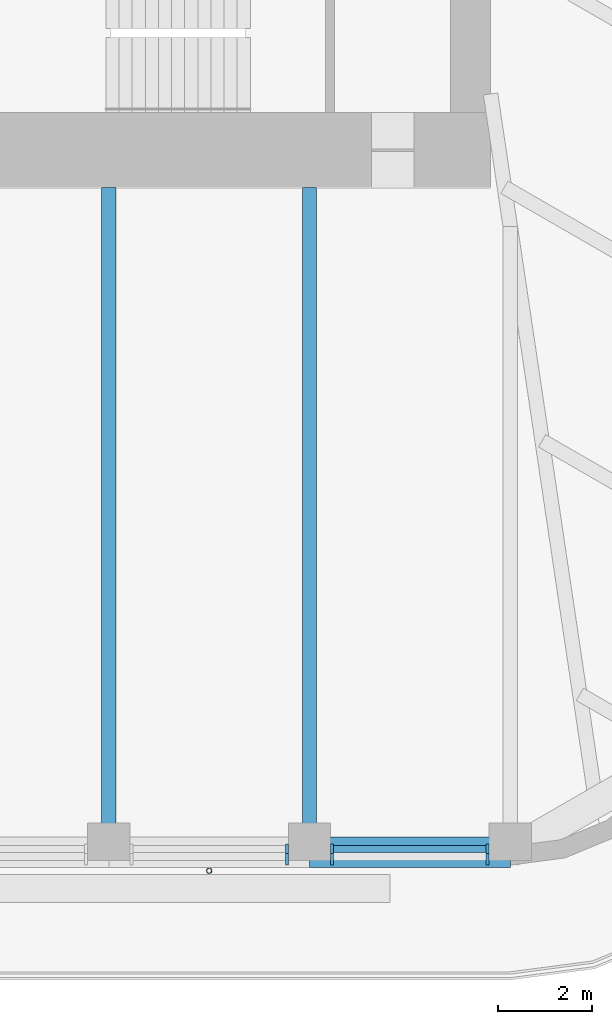
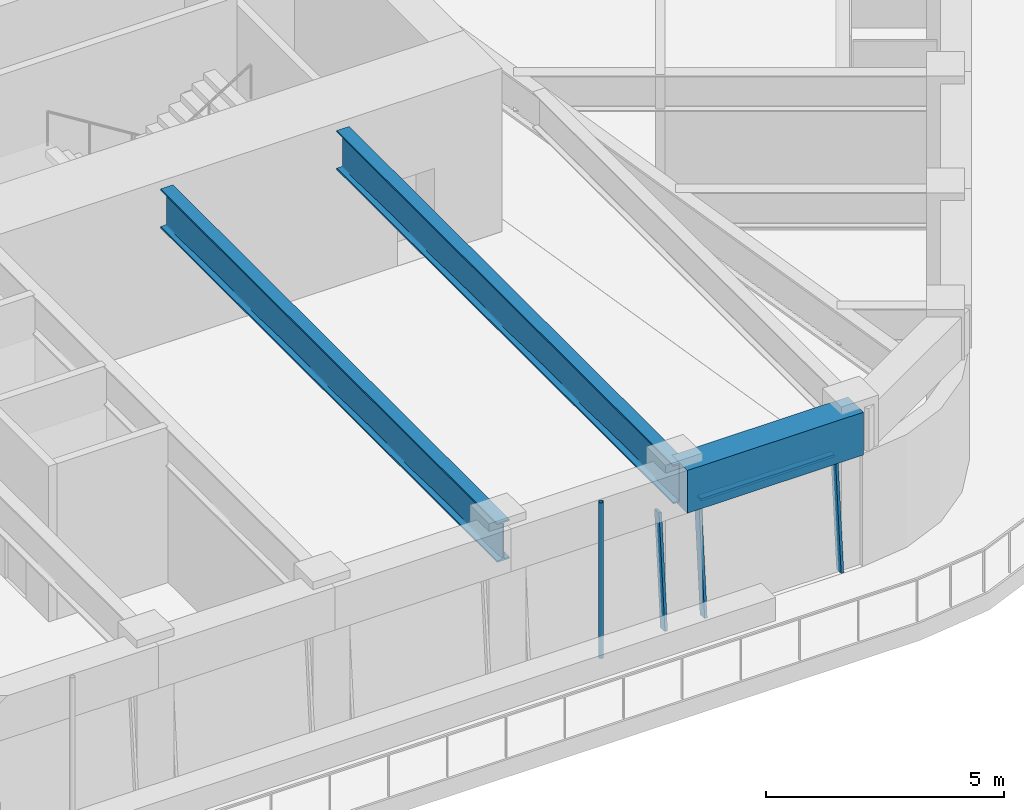
# One storey, part 4 of 19: 5 members, 3 beams, 2 elements without a shape of their own.
"""IFC4 building model written with IfcOpenShell, lengths in metres."""

import ifcopenshell
import ifcopenshell.guid

model = None  # the IFC model being written
_history = None  # IfcOwnerHistory: only IFC2X3 demands one
_inside = {}  # id of a spatial element -> (the spatial element, [elements in it])
_under = {}  # id of a project, library or spatial element -> (it, [spatial elements below it])
_declared = {}  # id of a project -> (the project, [libraries it declares])
_typed = {}  # id of a type object -> (the type object, [elements of that type])
_made_of = {}  # id of a material, layer set ... -> (it, [elements and type objects made of it])


def new_model(schema):
    """Start an empty IFC model of exactly this schema.

    Asked for "IFC4X3", IfcOpenShell would pick the latest addendum, in which some entities
    have other attributes; the version numbers below select the first issue.
    IFC2X3 requires an IfcOwnerHistory on every rooted entity: one is made here for all.
    """
    global model, _history
    if schema == "IFC4X3":
        model = ifcopenshell.file(schema_version=(4, 3, 0, 0))
    else:
        model = ifcopenshell.file(schema=schema)
    _inside.clear()
    _under.clear()
    _declared.clear()
    _typed.clear()
    _made_of.clear()
    _history = None
    if model.schema == "IFC2X3":
        org = make("IfcOrganization", Name="unknown")
        user = make(
            "IfcPersonAndOrganization",
            ThePerson=make("IfcPerson", FamilyName="unknown"),
            TheOrganization=org,
        )
        app = make(
            "IfcApplication",
            ApplicationDeveloper=org,
            Version="unknown",
            ApplicationFullName="unknown",
            ApplicationIdentifier="unknown",
        )
        _history = make(
            "IfcOwnerHistory",
            OwningUser=user,
            OwningApplication=app,
            ChangeAction="ADDED",
            CreationDate=0,
        )
    return model


def make(cls, **values):
    """One entity of the class cls with the attributes given. An attribute that is None is left unset."""
    return model.create_entity(
        cls, **{name: value for name, value in values.items() if value is not None}
    )


def rooted(cls, **values):
    """An entity with a GlobalId (a new one), such as an element, a storey or a relation."""
    return make(cls, GlobalId=ifcopenshell.guid.new(), OwnerHistory=_history, **values)


def si_unit(unit_type, name, prefix=None):
    """IfcSIUnit, for example si_unit("LENGTHUNIT", "METRE", prefix="MILLI")."""
    return make("IfcSIUnit", UnitType=unit_type, Prefix=prefix, Name=name)


def assignment(units):
    """IfcUnitAssignment: the units of a project."""
    return None if units is None else make("IfcUnitAssignment", Units=units)


def point(xyz):
    """IfcCartesianPoint."""
    return None if xyz is None else make("IfcCartesianPoint", Coordinates=xyz)


def direction(xyz):
    """IfcDirection."""
    return None if xyz is None else make("IfcDirection", DirectionRatios=xyz)


def frame(location, z_axis=None, x_axis=None):
    """IfcAxis2Placement3D, a coordinate frame: its origin and axes. An axis left out is left unset."""
    return make(
        "IfcAxis2Placement3D",
        Location=point(location),
        Axis=direction(z_axis),
        RefDirection=direction(x_axis),
    )


def frame_2d(location, x_axis=None):
    """IfcAxis2Placement2D, a coordinate frame in the plane: its origin and x axis."""
    return make(
        "IfcAxis2Placement2D", Location=point(location), RefDirection=direction(x_axis)
    )


def origin():
    """The frame at (0, 0, 0) with its axes left unset."""
    return frame((0.0, 0.0, 0.0))


def origin_2d():
    """The frame at (0, 0) in the plane with its x axis left unset."""
    return frame_2d((0.0, 0.0))


def place(relative_to, where):
    """IfcLocalPlacement: puts the frame where relative to a parent placement (None: the world)."""
    return make(
        "IfcLocalPlacement", PlacementRelTo=relative_to, RelativePlacement=where
    )


def context(
    kind, dimensions, precision=None, world=None, true_north=None, identifier=None
):
    """IfcGeometricRepresentationContext, for example the 3D "Model" context."""
    return make(
        "IfcGeometricRepresentationContext",
        ContextIdentifier=identifier,
        ContextType=kind,
        CoordinateSpaceDimension=dimensions,
        Precision=precision,
        WorldCoordinateSystem=world,
        TrueNorth=true_north,
    )


def subcontext(parent, identifier, kind, view, scale=None):
    """IfcGeometricRepresentationSubContext, for example "Body" below "Model"."""
    return make(
        "IfcGeometricRepresentationSubContext",
        ContextIdentifier=identifier,
        ContextType=kind,
        ParentContext=parent,
        TargetScale=scale,
        TargetView=view,
    )


def project(units=None, contexts=None):
    """IfcProject with its units and contexts."""
    return rooted(
        "IfcProject",
        Name="project",
        RepresentationContexts=contexts,
        UnitsInContext=assignment(units),
    )


def spatial(cls, under=None, at=None, **own):
    """A site, building, storey or space (cls), placed at a placement, below another one or the project."""
    s = rooted(cls, ObjectPlacement=at, **own)
    if under is not None:
        _under.setdefault(under.id(), (under, []))[1].append(s)
    return s


def profile(cls, at=None, kind="AREA", **sizes):
    """A parametric profile (cls). Its sizes go by their IFC names, for example OverallWidth=200.0."""
    return make(cls, ProfileType=kind, Position=at, **sizes)


def rectangle(**sizes):
    """IfcRectangleProfileDef."""
    return profile("IfcRectangleProfileDef", **sizes)


def hollow_circle(**sizes):
    """IfcCircleHollowProfileDef."""
    return profile("IfcCircleHollowProfileDef", **sizes)


def i_section(**sizes):
    """IfcIShapeProfileDef."""
    return profile("IfcIShapeProfileDef", **sizes)


def extrude(swept, where, along, depth):
    """IfcExtrudedAreaSolid: the profile swept, set in the frame where, extruded along a direction by depth."""
    return make(
        "IfcExtrudedAreaSolid",
        SweptArea=swept,
        Position=where,
        ExtrudedDirection=direction(along),
        Depth=depth,
    )


def shape(context_of_items, identifier, shape_type, items):
    """IfcShapeRepresentation: the items that make up one representation, for example the "Body"."""
    return make(
        "IfcShapeRepresentation",
        ContextOfItems=context_of_items,
        RepresentationIdentifier=identifier,
        RepresentationType=shape_type,
        Items=items,
    )


def material(Name=None, Category=None):
    """IfcMaterial."""
    return make("IfcMaterial", Name=Name, Category=Category)


def material_profile(
    of_material, cross_section, Name=None, Category=None, Priority=None
):
    """IfcMaterialProfile: a cross section and its material."""
    return make(
        "IfcMaterialProfile",
        Name=Name,
        Material=of_material,
        Profile=cross_section,
        Priority=Priority,
        Category=Category,
    )


def profile_set(profiles, Name=None, composite=None):
    """IfcMaterialProfileSet."""
    return make(
        "IfcMaterialProfileSet",
        Name=Name,
        MaterialProfiles=profiles,
        CompositeProfile=composite,
    )


def made_of(thing, what):
    """Note that an element or type object is made of a material, layer set ...; save() writes the relation."""
    if what is not None:
        _made_of.setdefault(what.id(), (what, []))[1].append(thing)
    return thing


def type_object(cls, material=None, **own):
    """A type object (cls), such as IfcWallType, which elements share."""
    return made_of(rooted(cls, **own), material)


def element(
    cls,
    number,
    at=None,
    inside=None,
    cuts=None,
    type_object=None,
    material=None,
    context=None,
    identifier="Body",
    shape_type=None,
    held_by="IfcProductDefinitionShape",
    body=None,
    shapes=None,
    **own,
):
    """One element of the class cls, such as IfcWall. Its Tag is "e" and its number.

    at: its placement. inside: the storey or other place that contains it. cuts: it is an
    opening in that element (IfcRelVoidsElement). A single representation is given by context,
    identifier, shape_type and body (its items); several are given by shapes. held_by: the class
    of the entity that holds the representations. save() writes the other relations.
    """
    e = rooted(cls, Tag="e%d" % number, ObjectPlacement=at, **own)
    if body is not None:
        shapes = [shape(context, identifier, shape_type, body)]
    if shapes is not None:
        e.Representation = make(held_by, Representations=shapes)
    if inside is not None:
        _inside.setdefault(inside.id(), (inside, []))[1].append(e)
    if cuts is not None:
        rooted(
            "IfcRelVoidsElement", RelatingBuildingElement=cuts, RelatedOpeningElement=e
        )
    if type_object is not None:
        _typed.setdefault(type_object.id(), (type_object, []))[1].append(e)
    return made_of(e, material)


def aggregate(whole, parts):
    """IfcRelAggregates: a whole, such as a stair, and the parts it consists of."""
    return rooted("IfcRelAggregates", RelatingObject=whole, RelatedObjects=parts)


def save(model, path):
    """Write the relations noted so far, then the file.

    IfcRelAggregates (storeys below a building ...), IfcRelContainedInSpatialStructure (elements
    in a storey), IfcRelDefinesByType, IfcRelAssociatesMaterial and IfcRelDeclares: one each for
    every whole, place, type object, material and project.
    """
    for whole, parts in _under.values():
        aggregate(whole, parts)
    for where, things in _inside.values():
        rooted(
            "IfcRelContainedInSpatialStructure",
            RelatedElements=things,
            RelatingStructure=where,
        )
    for kind, things in _typed.values():
        rooted("IfcRelDefinesByType", RelatedObjects=things, RelatingType=kind)
    for what, things in _made_of.values():
        rooted("IfcRelAssociatesMaterial", RelatedObjects=things, RelatingMaterial=what)
    for by, libraries in _declared.values():
        rooted("IfcRelDeclares", RelatingContext=by, RelatedDefinitions=libraries)
    model.write(path)


model = new_model("IFC4")

# Units and contexts
model_context = context("Model", 3, precision=1e-05, world=origin(), true_north=direction((0.0, 1.0)))
body_context = subcontext(model_context, "Body", "Model", "MODEL_VIEW")
ifc_project = project(units=[si_unit("LENGTHUNIT", "METRE"), si_unit("AREAUNIT", "SQUARE_METRE"), si_unit("VOLUMEUNIT", "CUBIC_METRE"), si_unit("PLANEANGLEUNIT", "RADIAN"), si_unit("MASSUNIT", "GRAM", prefix="KILO")], contexts=[model_context])

# Site, building, storey
site_placement = place(None, origin())
site = spatial("IfcSite", under=ifc_project, at=site_placement, CompositionType="ELEMENT")
building_placement = place(site_placement, origin())
building = spatial("IfcBuilding", under=site, at=building_placement, Name="Tarfa Lantern Tower", CompositionType="ELEMENT")
storey_placement = place(building_placement, frame((0.0, 0.0, 370.300048828125)))
storey = spatial("IfcBuildingStorey", under=building, at=storey_placement, Name="L84", CompositionType="ELEMENT", Elevation=370.300048828125)

# Curtain wall, member
ifc_material_1 = material(Name="Aluminium framed curtain wall", Category="aluminium")
curtain_wall_type = type_object("IfcCurtainWallType", Name="CW4 CANTED GLAZING EXECUTIVE ZONE 2900", PredefinedType="USERDEFINED", material=ifc_material_1)
curtain_wall_1_placement = place(storey_placement, origin())
curtain_wall_1 = element("IfcCurtainWall", 1, at=curtain_wall_1_placement, inside=storey, type_object=curtain_wall_type, Name="CW4 S L84", ObjectType="CURTAIN WALL", PredefinedType="USERDEFINED")
ifc_material_2 = material(Name="Aluminium mullion", Category="aluminium")
ifc_material_profile_1 = material_profile(ifc_material_2, rectangle(XDim=0.06494140625, YDim=0.199951171875, at=origin_2d()), Name="AL MULLION 65x200")
ifc_profile_set_1 = profile_set([ifc_material_profile_1], Name="Aluminium mullion")
member_type_1 = type_object("IfcMemberType", Name="CWM1 MULLION 65x200", PredefinedType="MULLION", material=ifc_profile_set_1)
member_1_placement = place(storey_placement, frame((8.08154296875, -26.64990234375, 0.0), z_axis=(0.0, 0.085891213166, 0.99630452147), x_axis=(-1.0, 0.0, 0.0)))
member_1 = element("IfcMember", 2, at=member_1_placement, type_object=member_type_1, Name="CW4 mullion 2", PredefinedType="MULLION", context=body_context, shape_type="SweptSolid", body=[
    extrude(rectangle(XDim=0.06494140625, YDim=0.199951171875, at=origin_2d()), origin(), (0.0, 0.0, 1.0), 2.91064453125),
])
aggregate(curtain_wall_1, [member_1])

# Curtain wall, members
curtain_wall_2_placement = place(storey_placement, origin())
curtain_wall_2 = element("IfcCurtainWall", 3, at=curtain_wall_2_placement, inside=storey, type_object=curtain_wall_type, Name="CW4 S L84", ObjectType="CURTAIN WALL", PredefinedType="USERDEFINED")
member_2_placement = place(storey_placement, frame((9.046630859375, -26.64990234375, 0.0), z_axis=(0.0, 0.085891213166, 0.99630452147), x_axis=(-1.0, 0.0, 0.0)))
member_2 = element("IfcMember", 4, at=member_2_placement, type_object=member_type_1, Name="CW4 mullion 1", PredefinedType="MULLION", context=body_context, shape_type="SweptSolid", body=[
    extrude(rectangle(XDim=0.06494140625, YDim=0.199951171875, at=origin_2d()), origin(), (0.0, 0.0, 1.0), 2.91064453125),
])
member_3_placement = place(storey_placement, frame((12.363525390625, -26.64990234375, 0.0), z_axis=(0.0, 0.085891213166, 0.99630452147), x_axis=(-1.0, 0.0, 0.0)))
member_3 = element("IfcMember", 5, at=member_3_placement, type_object=member_type_1, Name="CW4 mullion 2", PredefinedType="MULLION", context=body_context, shape_type="SweptSolid", body=[
    extrude(rectangle(XDim=0.06494140625, YDim=0.199951171875, at=origin_2d()), origin(), (0.0, 0.0, 1.0), 2.91064453125),
])
ifc_material_3 = material(Name="Aluminium transom", Category="aluminium")
ifc_material_profile_2 = material_profile(ifc_material_3, rectangle(XDim=0.14990234375, YDim=0.06494140625, at=origin_2d()), Name="AL TRANSOM 150x65")
ifc_profile_set_2 = profile_set([ifc_material_profile_2], Name="Aluminium transom")
member_type_2 = type_object("IfcMemberType", Name="CWT1 TRANSOM 150x65", PredefinedType="USERDEFINED", material=ifc_profile_set_2)
member_4_placement = place(storey_placement, frame((9.0791015625, -26.40283203125, 2.867431640625), z_axis=(1.0, 0.0, 0.0), x_axis=(0.0, 1.0, 0.0)))
member_4 = element("IfcMember", 6, at=member_4_placement, type_object=member_type_2, Name="CW4 transom 1.2", ObjectType="TRANSOM", PredefinedType="USERDEFINED", context=body_context, shape_type="SweptSolid", body=[
    extrude(rectangle(XDim=0.14990234375, YDim=0.06494140625, at=origin_2d()), origin(), (0.0, 0.0, 1.0), 3.251953125),
])
aggregate(curtain_wall_2, [member_2, member_3, member_4])

# Beam
ifc_material_4 = material(Name="Concrete C80/95", Category="concrete")
ifc_material_profile_3 = material_profile(ifc_material_4, rectangle(XDim=0.64990234375, YDim=1.10009765625, at=origin_2d()), Name="RC 650x1100")
ifc_profile_set_3 = profile_set([ifc_material_profile_3], Name="Concrete C80/95")
beam_type_1 = type_object("IfcBeamType", Name="EB4 RC 650x1100", PredefinedType="SPANDREL", material=ifc_profile_set_3)
beam_placement = place(storey_placement, frame((8.56396484375, -26.469970703125, 3.449951171875), z_axis=(1.0, 0.0, 0.0), x_axis=(0.0, 1.0, 0.0)))
element("IfcBeam", 7, at=beam_placement, inside=storey, type_object=beam_type_1, Name="Edge beam S5", PredefinedType="SPANDREL", context=body_context, shape_type="SweptSolid", body=[
    extrude(rectangle(XDim=0.64990234375, YDim=1.10009765625, at=origin_2d()), origin(), (0.0, 0.0, 1.0), 4.281982421875),
])

# Member
ifc_material_5 = material(Name="Steel S355", Category="steel")
ifc_material_profile_4 = material_profile(ifc_material_5, hollow_circle(Radius=0.05712890625, WallThickness=0.00634765625, at=origin_2d()), Name="CHS114.3x6.3")
ifc_profile_set_4 = profile_set([ifc_material_profile_4], Name="Steel S355")
member_type_3 = type_object("IfcMemberType", Name="TR1 GREEN WALL TRELLIS CHS114.3x6.3", PredefinedType="USERDEFINED", material=ifc_profile_set_4)
member_5_placement = place(storey_placement, frame((6.423095703125, -26.8701171875, 0.0), z_axis=(0.0, 0.0, 1.0), x_axis=(1.0, 0.0, 0.0)))
element("IfcMember", 8, at=member_5_placement, inside=storey, type_object=member_type_3, Name="Trellis post S 2", ObjectType="TRELLIS", PredefinedType="USERDEFINED", context=body_context, shape_type="SweptSolid", body=[
    extrude(hollow_circle(Radius=0.05712890625, WallThickness=0.00634765625, at=origin_2d()), origin(), (0.0, 0.0, 1.0), 4.0),
])

# Beams
ifc_material_6 = material(Name="Steel S460M", Category="steel")
ifc_material_profile_5 = material_profile(ifc_material_6, i_section(OverallWidth=0.302001953125, OverallDepth=1.008056640625, WebThickness=0.02099609375, FlangeThickness=0.0400390625, FilletRadius=0.030029296875, at=origin_2d()), Name="UB1016x305x349")
ifc_profile_set_5 = profile_set([ifc_material_profile_5], Name="Steel S460M")
beam_type_2 = type_object("IfcBeamType", Name="UB1016x305x349", PredefinedType="BEAM", material=ifc_profile_set_5)
for number, where, z_axis, x_axis, name in (
    (9, (4.281982421875, -26.469970703125, 3.495849609375), (0.0, 1.0, 0.0), (-1.0, 0.0, 0.0), "Floor beam S4"),
    (10, (8.56396484375, -26.469970703125, 3.495849609375), (0.0, 1.0, 0.0), (-1.0, 0.0, 0.0), "Floor beam S5"),
):
    element("IfcBeam", number, at=place(storey_placement, frame(where, z_axis=z_axis, x_axis=x_axis)), inside=storey, type_object=beam_type_2, Name=name, PredefinedType="BEAM", context=body_context, shape_type="SweptSolid", body=[
        extrude(i_section(OverallWidth=0.302001953125, OverallDepth=1.008056640625, WebThickness=0.02099609375, FlangeThickness=0.0400390625, FilletRadius=0.030029296875, at=origin_2d()), origin(), (0.0, 0.0, 1.0), 14.169921875),
    ])

save(model, "model.ifc")
